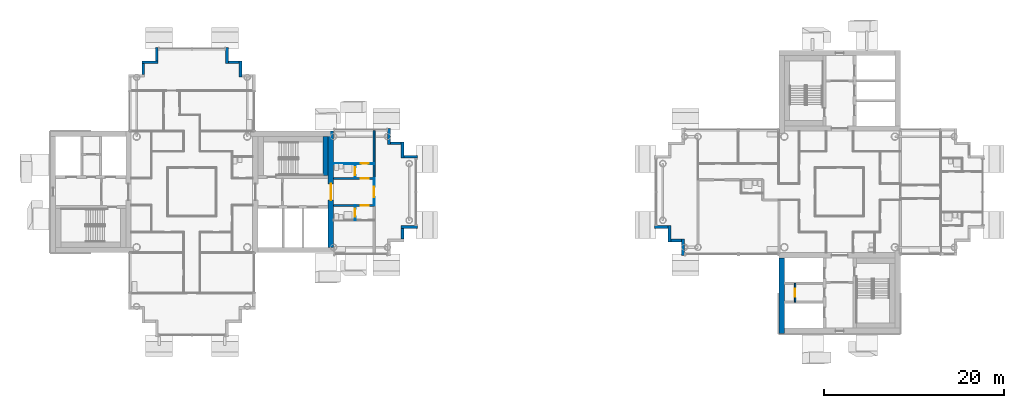
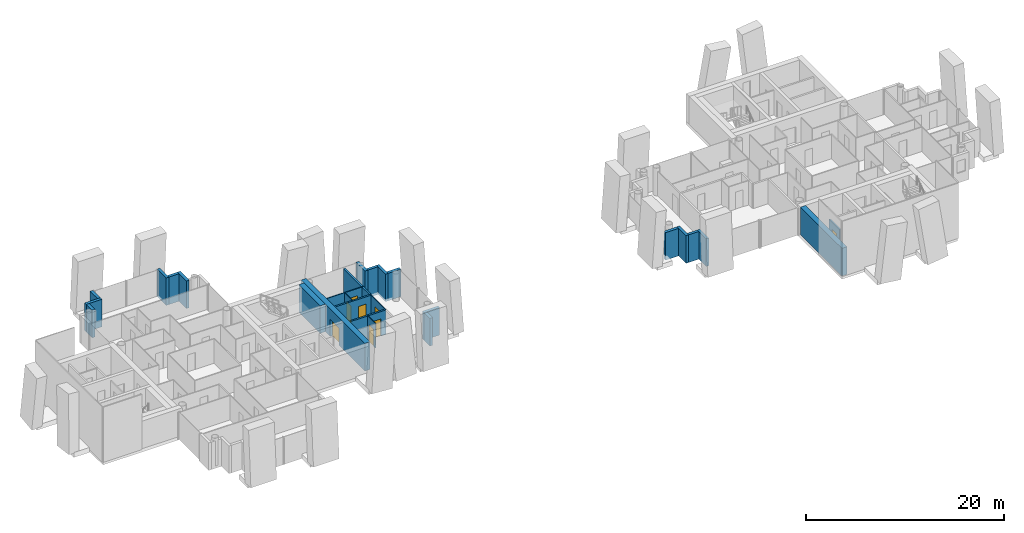
# One storey, part 8 of 19: 27 walls, 8 doors, 8 openings.
"""IFC4 building model written with IfcOpenShell, lengths in metres."""

from ifc_helpers import new_model, si_unit, direction, frame, frame_2d, origin, place, context, subcontext, project, spatial, rectangle, extrude, material, layer, layer_set, type_object, element, fill, save


model = new_model("IFC4")

# Units and contexts
model_context = context("Model", 3, precision=1e-05, world=origin(), true_north=direction((0.0, 1.0)))
body_context = subcontext(model_context, "Body", "Model", "MODEL_VIEW")
ifc_project = project(units=[si_unit("LENGTHUNIT", "METRE"), si_unit("AREAUNIT", "SQUARE_METRE"), si_unit("VOLUMEUNIT", "CUBIC_METRE"), si_unit("PLANEANGLEUNIT", "RADIAN"), si_unit("MASSUNIT", "GRAM", prefix="KILO")], contexts=[model_context])

# Site, building, storey
site_placement = place(None, origin())
site = spatial("IfcSite", under=ifc_project, at=site_placement, CompositionType="ELEMENT")
building_placement = place(site_placement, origin())
building = spatial("IfcBuilding", under=site, at=building_placement, Name="Ipe Terrace Towers", CompositionType="ELEMENT")
storey_placement = place(building_placement, frame((0.0, 0.0, 189.199951171875)))
storey = spatial("IfcBuildingStorey", under=building, at=storey_placement, Name="L52", CompositionType="ELEMENT", Elevation=189.199951171875)

# Walls
ifc_material_1 = material(Name="Concrete C40/50 with buff precast cladding", Category="concrete")
ifc_layer_1 = layer(ifc_material_1, 0.320068359375)
ifc_layer_set_1 = layer_set([ifc_layer_1], Name="BUFF CLADDING WALL 320")
wall_type_1 = type_object("IfcWallType", Name="BUFF CLADDING WALL 320", PredefinedType="STANDARD", material=ifc_layer_set_1)
wall_1_placement = place(storey_placement, frame((-12.590087890625, -5.25, -0.300048828125), z_axis=(0.0, 0.0, 1.0), x_axis=(0.0, 1.0, 0.0)))
element("IfcWall", 1, at=wall_1_placement, inside=storey, type_object=wall_type_1, Name="T1-W-L52-19a wall", PredefinedType="STANDARD", context=body_context, shape_type="SweptSolid", body=[
    extrude(rectangle(XDim=1.179931640625, YDim=0.320068359375, at=frame_2d((0.58984375, 0.0))), origin(), (0.0, 0.0, 1.0), 3.400146484375),
])
wall_2_placement = place(storey_placement, frame((-12.75, -3.909912109375, -0.300048828125), z_axis=(0.0, 0.0, 1.0), x_axis=(1.0, 0.0, 0.0)))
element("IfcWall", 2, at=wall_2_placement, inside=storey, type_object=wall_type_1, Name="T1-W-L52-20a wall", PredefinedType="STANDARD", context=body_context, shape_type="SweptSolid", body=[
    extrude(rectangle(XDim=1.820068359375, YDim=0.320068359375, at=frame_2d((0.91015625, 0.0))), origin(), (0.0, 0.0, 1.0), 3.400146484375),
])
wall_3_placement = place(storey_placement, frame((-10.929931640625, 3.909912109375, -0.300048828125), z_axis=(0.0, 0.0, 1.0), x_axis=(-1.0, 0.0, 0.0)))
element("IfcWall", 3, at=wall_3_placement, inside=storey, type_object=wall_type_1, Name="T1-W-L52-22a wall", PredefinedType="STANDARD", context=body_context, shape_type="SweptSolid", body=[
    extrude(rectangle(XDim=1.5, YDim=0.320068359375, at=frame_2d((0.75, 0.0))), origin(), (0.0, 0.0, 1.0), 3.400146484375),
])
wall_4_placement = place(storey_placement, frame((-12.590087890625, 3.75, -0.300048828125), z_axis=(0.0, 0.0, 1.0), x_axis=(0.0, 1.0, 0.0)))
element("IfcWall", 4, at=wall_4_placement, inside=storey, type_object=wall_type_1, Name="T1-W-L52-23a wall", PredefinedType="STANDARD", context=body_context, shape_type="SweptSolid", body=[
    extrude(rectangle(XDim=1.820068359375, YDim=0.320068359375, at=frame_2d((0.91015625, 0.0))), origin(), (0.0, 0.0, 1.0), 3.400146484375),
])
wall_5_placement = place(storey_placement, frame((-12.75, 5.409912109375, -0.300048828125), z_axis=(0.0, 0.0, 1.0), x_axis=(-1.0, 0.0, 0.0)))
element("IfcWall", 5, at=wall_5_placement, inside=storey, type_object=wall_type_1, Name="T1-W-L52-24a wall", PredefinedType="STANDARD", context=body_context, shape_type="SweptSolid", body=[
    extrude(rectangle(XDim=1.179931640625, YDim=0.320068359375, at=frame_2d((0.58984375, 0.0))), origin(), (0.0, 0.0, 1.0), 3.400146484375),
])
for number, where, z_axis, x_axis, name in (
    (6, (-14.090087890625, 5.25, -0.300048828125), (0.0, 0.0, 1.0), (0.0, 1.0, 0.0), "T1-W-L52-25a wall"),
    (7, (-30.590087890625, 12.75, -0.300048828125), (0.0, 0.0, 1.0), (0.0, 1.0, 0.0), "T1-W-L52-31a wall"),
):
    element("IfcWall", number, at=place(storey_placement, frame(where, z_axis=z_axis, x_axis=x_axis)), inside=storey, type_object=wall_type_1, Name=name, PredefinedType="STANDARD", context=body_context, shape_type="SweptSolid", body=[
        extrude(rectangle(XDim=1.820068359375, YDim=0.320068359375, at=frame_2d((0.91015625, 0.0))), origin(), (0.0, 0.0, 1.0), 3.400146484375),
    ])
wall_6_placement = place(storey_placement, frame((-30.75, 14.409912109375, -0.300048828125), z_axis=(0.0, 0.0, 1.0), x_axis=(-1.0, 0.0, 0.0)))
element("IfcWall", 8, at=wall_6_placement, inside=storey, type_object=wall_type_1, Name="T1-W-L52-32a wall", PredefinedType="STANDARD", context=body_context, shape_type="SweptSolid", body=[
    extrude(rectangle(XDim=1.179931640625, YDim=0.320068359375, at=frame_2d((0.58984375, 0.0))), origin(), (0.0, 0.0, 1.0), 3.400146484375),
])
wall_7_placement = place(storey_placement, frame((-32.090087890625, 14.25, -0.300048828125), z_axis=(0.0, 0.0, 1.0), x_axis=(0.0, 1.0, 0.0)))
element("IfcWall", 9, at=wall_7_placement, inside=storey, type_object=wall_type_1, Name="T1-W-L52-33a wall", PredefinedType="STANDARD", context=body_context, shape_type="SweptSolid", body=[
    extrude(rectangle(XDim=1.820068359375, YDim=0.320068359375, at=frame_2d((0.91015625, 0.0))), origin(), (0.0, 0.0, 1.0), 3.400146484375),
])
wall_8_placement = place(storey_placement, frame((-39.909912109375, 16.070068359375, -0.300048828125), z_axis=(0.0, 0.0, 1.0), x_axis=(0.0, -1.0, 0.0)))
element("IfcWall", 10, at=wall_8_placement, inside=storey, type_object=wall_type_1, Name="T1-W-L52-35a wall", PredefinedType="STANDARD", context=body_context, shape_type="SweptSolid", body=[
    extrude(rectangle(XDim=1.5, YDim=0.320068359375, at=frame_2d((0.75, 0.0))), origin(), (0.0, 0.0, 1.0), 3.400146484375),
])
wall_9_placement = place(storey_placement, frame((-39.75, 14.409912109375, -0.300048828125), z_axis=(0.0, 0.0, 1.0), x_axis=(-1.0, 0.0, 0.0)))
element("IfcWall", 11, at=wall_9_placement, inside=storey, type_object=wall_type_1, Name="T1-W-L52-36a wall", PredefinedType="STANDARD", context=body_context, shape_type="SweptSolid", body=[
    extrude(rectangle(XDim=1.820068359375, YDim=0.320068359375, at=frame_2d((0.91015625, 0.0))), origin(), (0.0, 0.0, 1.0), 3.400146484375),
])
wall_10_placement = place(storey_placement, frame((-41.409912109375, 14.25, -0.300048828125), z_axis=(0.0, 0.0, 1.0), x_axis=(0.0, -1.0, 0.0)))
element("IfcWall", 12, at=wall_10_placement, inside=storey, type_object=wall_type_1, Name="T1-W-L52-37a wall", PredefinedType="STANDARD", context=body_context, shape_type="SweptSolid", body=[
    extrude(rectangle(XDim=1.179931640625, YDim=0.320068359375, at=frame_2d((0.58984375, 0.0))), origin(), (0.0, 0.0, 1.0), 3.400146484375),
])
wall_11_placement = place(storey_placement, frame((15.429931640625, -3.909912109375, -0.300048828125), z_axis=(0.0, 0.0, 1.0), x_axis=(1.0, 0.0, 0.0)))
element("IfcWall", 13, at=wall_11_placement, inside=storey, type_object=wall_type_1, Name="T2-W-L52-27a wall", PredefinedType="STANDARD", context=body_context, shape_type="SweptSolid", body=[
    extrude(rectangle(XDim=1.5, YDim=0.320068359375, at=frame_2d((0.75, 0.0))), origin(), (0.0, 0.0, 1.0), 3.400146484375),
])
wall_12_placement = place(storey_placement, frame((17.090087890625, -3.75, -0.300048828125), z_axis=(0.0, 0.0, 1.0), x_axis=(0.0, -1.0, 0.0)))
element("IfcWall", 14, at=wall_12_placement, inside=storey, type_object=wall_type_1, Name="T2-W-L52-28a wall", PredefinedType="STANDARD", context=body_context, shape_type="SweptSolid", body=[
    extrude(rectangle(XDim=1.820068359375, YDim=0.320068359375, at=frame_2d((0.91015625, 0.0))), origin(), (0.0, 0.0, 1.0), 3.400146484375),
])
wall_13_placement = place(storey_placement, frame((17.25, -5.409912109375, -0.300048828125), z_axis=(0.0, 0.0, 1.0), x_axis=(1.0, 0.0, 0.0)))
element("IfcWall", 15, at=wall_13_placement, inside=storey, type_object=wall_type_1, Name="T2-W-L52-29a wall", PredefinedType="STANDARD", context=body_context, shape_type="SweptSolid", body=[
    extrude(rectangle(XDim=1.179931640625, YDim=0.320068359375, at=frame_2d((0.58984375, 0.0))), origin(), (0.0, 0.0, 1.0), 3.400146484375),
])
wall_14_placement = place(storey_placement, frame((18.590087890625, -5.25, -0.300048828125), z_axis=(0.0, 0.0, 1.0), x_axis=(0.0, -1.0, 0.0)))
element("IfcWall", 16, at=wall_14_placement, inside=storey, type_object=wall_type_1, Name="T2-W-L52-30a wall", PredefinedType="STANDARD", context=body_context, shape_type="SweptSolid", body=[
    extrude(rectangle(XDim=1.820068359375, YDim=0.320068359375, at=frame_2d((0.91015625, 0.0))), origin(), (0.0, 0.0, 1.0), 3.400146484375),
])

# Wall, opening, door
ifc_material_2 = material(Name="Gypsum board partition", Category="plasterboard")
ifc_layer_2 = layer(ifc_material_2, 0.10009765625)
ifc_layer_set_2 = layer_set([ifc_layer_2], Name="Gypsum board partition 100 mm")
wall_type_2 = type_object("IfcWallType", Name="Gypsum board partition 100 mm", PredefinedType="PARTITIONING", material=ifc_layer_set_2)
wall_15_placement = place(storey_placement, frame((-17.85009765625, -3.14990234375, 0.0), z_axis=(0.0, 0.0, 1.0), x_axis=(0.0, 1.0, 0.0)))
wall_15 = element("IfcWall", 17, at=wall_15_placement, inside=storey, type_object=wall_type_2, Name="Gypsum board partition T1 L52 W13", PredefinedType="PARTITIONING", context=body_context, shape_type="SweptSolid", body=[
    extrude(rectangle(XDim=1.64990234375, YDim=0.10009765625, at=frame_2d((0.824951171875, 0.0))), origin(), (0.0, 0.0, 1.0), 3.0),
])
opening_1_placement = place(wall_15_placement, frame((0.39990234375, 0.0, 0.0)))
opening_1 = element("IfcOpeningElement", 18, at=opening_1_placement, cuts=wall_15, Name="Opening T1-Z4C-21", PredefinedType="OPENING", context=body_context, shape_type="SweptSolid", body=[
    extrude(rectangle(XDim=0.89990234375, YDim=2.10009765625, at=frame_2d((0.449951171875, 1.050048828125))), frame((0.0, 0.06005859375, 0.0), z_axis=(0.0, -1.0, 0.0), x_axis=(1.0, 0.0, 0.0)), (0.0, 0.0, 1.0), 0.1201171875),
])
ifc_material_3 = material(Name="Timber door leaf", Category="wood")
door_type_1 = type_object("IfcDoorType", Name="Bathroom door 900 x 2100", OperationType="NOTDEFINED", PredefinedType="DOOR", material=ifc_material_3)
door_1_placement = place(opening_1_placement, origin())
door_1 = element("IfcDoor", 19, at=door_1_placement, inside=storey, type_object=door_type_1, Name="Bathroom door T1-Z4C-21", OperationType="SINGLE_SWING_LEFT", OverallHeight=2.10009765625, OverallWidth=0.89990234375, PredefinedType="DOOR", context=body_context, shape_type="SweptSolid", body=[
    extrude(rectangle(XDim=0.89990234375, YDim=2.10009765625, at=frame_2d((0.449951171875, 1.050048828125))), frame((0.0, 0.02490234375, 0.0), z_axis=(0.0, -1.0, 0.0), x_axis=(1.0, 0.0, 0.0)), (0.0, 0.0, 1.0), 0.050048828125),
])
fill(opening_1, door_1)

wall_16_placement = place(storey_placement, frame((-17.85009765625, 1.5, 0.0), z_axis=(0.0, 0.0, 1.0), x_axis=(0.0, 1.0, 0.0)))
wall_16 = element("IfcWall", 20, at=wall_16_placement, inside=storey, type_object=wall_type_2, Name="Gypsum board partition T1 L52 W14", PredefinedType="PARTITIONING", context=body_context, shape_type="SweptSolid", body=[
    extrude(rectangle(XDim=1.64990234375, YDim=0.10009765625, at=frame_2d((0.824951171875, 0.0))), origin(), (0.0, 0.0, 1.0), 3.0),
])
opening_2_placement = place(wall_16_placement, frame((0.35009765625, 0.0, 0.0)))
opening_2 = element("IfcOpeningElement", 21, at=opening_2_placement, cuts=wall_16, Name="Opening T1-Z4C-18", PredefinedType="OPENING", context=body_context, shape_type="SweptSolid", body=[
    extrude(rectangle(XDim=0.89990234375, YDim=2.10009765625, at=frame_2d((0.449951171875, 1.050048828125))), frame((0.0, 0.06005859375, 0.0), z_axis=(0.0, -1.0, 0.0), x_axis=(1.0, 0.0, 0.0)), (0.0, 0.0, 1.0), 0.1201171875),
])
door_2_placement = place(opening_2_placement, origin())
door_2 = element("IfcDoor", 22, at=door_2_placement, inside=storey, type_object=door_type_1, Name="Bathroom door T1-Z4C-18", OperationType="SINGLE_SWING_RIGHT", OverallHeight=2.10009765625, OverallWidth=0.89990234375, PredefinedType="DOOR", context=body_context, shape_type="SweptSolid", body=[
    extrude(rectangle(XDim=0.89990234375, YDim=2.10009765625, at=frame_2d((0.449951171875, 1.050048828125))), frame((0.0, 0.02490234375, 0.0), z_axis=(0.0, -1.0, 0.0), x_axis=(1.0, 0.0, 0.0)), (0.0, 0.0, 1.0), 0.050048828125),
])
fill(opening_2, door_2)

wall_17_placement = place(storey_placement, frame((-15.75, -1.5, 0.0), z_axis=(0.0, 0.0, 1.0), x_axis=(0.0, 1.0, 0.0)))
wall_17 = element("IfcWall", 23, at=wall_17_placement, inside=storey, type_object=wall_type_2, Name="Gypsum board partition T1 L52 W15", PredefinedType="PARTITIONING", context=body_context, shape_type="SweptSolid", body=[
    extrude(rectangle(XDim=3.0, YDim=0.10009765625, at=frame_2d((1.5, 0.0))), origin(), (0.0, 0.0, 1.0), 3.0),
])
opening_3_placement = place(wall_17_placement, frame((0.89990234375, 0.0, 0.0)))
opening_3 = element("IfcOpeningElement", 24, at=opening_3_placement, cuts=wall_17, Name="Opening T1-Z4C-22", PredefinedType="OPENING", context=body_context, shape_type="SweptSolid", body=[
    extrude(rectangle(XDim=1.199951171875, YDim=2.10009765625, at=frame_2d((0.60009765625, 1.050048828125))), frame((0.0, 0.06005859375, 0.0), z_axis=(0.0, -1.0, 0.0), x_axis=(1.0, 0.0, 0.0)), (0.0, 0.0, 1.0), 0.1201171875),
])
ifc_material_4 = material(Name="Timber door leaf", Category="wood")
door_type_2 = type_object("IfcDoorType", Name="Lounge door 1200 x 2100", OperationType="NOTDEFINED", PredefinedType="DOOR", material=ifc_material_4)
door_3_placement = place(opening_3_placement, origin())
door_3 = element("IfcDoor", 25, at=door_3_placement, inside=storey, type_object=door_type_2, Name="Lounge door T1-Z4C-22", OperationType="SINGLE_SWING_RIGHT", OverallHeight=2.10009765625, OverallWidth=1.199951171875, PredefinedType="DOOR", context=body_context, shape_type="SweptSolid", body=[
    extrude(rectangle(XDim=1.199951171875, YDim=2.10009765625, at=frame_2d((0.60009765625, 1.050048828125))), frame((0.0, 0.02490234375, 0.0), z_axis=(0.0, -1.0, 0.0), x_axis=(1.0, 0.0, 0.0)), (0.0, 0.0, 1.0), 0.050048828125),
])
fill(opening_3, door_3)

wall_18_placement = place(storey_placement, frame((-20.25, 3.14990234375, 0.0), z_axis=(0.0, 0.0, 1.0), x_axis=(1.0, 0.0, 0.0)))
wall_18 = element("IfcWall", 26, at=wall_18_placement, inside=storey, type_object=wall_type_2, Name="Gypsum board partition T1 L52 W32", PredefinedType="PARTITIONING", context=body_context, shape_type="SweptSolid", body=[
    extrude(rectangle(XDim=4.5, YDim=0.10009765625, at=frame_2d((2.25, 0.0))), origin(), (0.0, 0.0, 1.0), 3.0),
])
opening_4_placement = place(wall_18_placement, frame((3.0, 0.0, 0.0)))
opening_4 = element("IfcOpeningElement", 27, at=opening_4_placement, cuts=wall_18, Name="Opening T1-Z4C-17", PredefinedType="OPENING", context=body_context, shape_type="SweptSolid", body=[
    extrude(rectangle(XDim=0.89990234375, YDim=2.10009765625, at=frame_2d((0.449951171875, 1.050048828125))), frame((0.0, 0.06005859375, 0.0), z_axis=(0.0, -1.0, 0.0), x_axis=(1.0, 0.0, 0.0)), (0.0, 0.0, 1.0), 0.1201171875),
])
ifc_material_5 = material(Name="Timber door leaf", Category="wood")
door_type_3 = type_object("IfcDoorType", Name="Bedroom door 900 x 2100", OperationType="NOTDEFINED", PredefinedType="DOOR", material=ifc_material_5)
door_4_placement = place(opening_4_placement, origin())
door_4 = element("IfcDoor", 28, at=door_4_placement, inside=storey, type_object=door_type_3, Name="Bedroom door T1-Z4C-17", OperationType="SINGLE_SWING_LEFT", OverallHeight=2.10009765625, OverallWidth=0.89990234375, PredefinedType="DOOR", context=body_context, shape_type="SweptSolid", body=[
    extrude(rectangle(XDim=0.89990234375, YDim=2.10009765625, at=frame_2d((0.449951171875, 1.050048828125))), frame((0.0, 0.02490234375, 0.0), z_axis=(0.0, -1.0, 0.0), x_axis=(1.0, 0.0, 0.0)), (0.0, 0.0, 1.0), 0.050048828125),
])
fill(opening_4, door_4)

ifc_material_6 = material(Name="Gypsum board partition", Category="plasterboard")
ifc_layer_3 = layer(ifc_material_6, 0.14990234375)
ifc_layer_set_3 = layer_set([ifc_layer_3], Name="Gypsum board partition 150 mm")
wall_type_3 = type_object("IfcWallType", Name="Gypsum board partition 150 mm", PredefinedType="PARTITIONING", material=ifc_layer_set_3)
wall_19_placement = place(storey_placement, frame((31.050048828125, -10.14990234375, 0.0), z_axis=(0.0, 0.0, 1.0), x_axis=(0.0, -1.0, 0.0)))
wall_19 = element("IfcWall", 29, at=wall_19_placement, inside=storey, type_object=wall_type_3, Name="Gypsum board partition T2 L52 t2c2-q-back", PredefinedType="PARTITIONING", context=body_context, shape_type="SweptSolid", body=[
    extrude(rectangle(XDim=2.10009765625, YDim=0.14990234375, at=frame_2d((1.050048828125, 0.0))), origin(), (0.0, 0.0, 1.0), 3.0),
])
opening_5_placement = place(wall_19_placement, frame((0.60009765625, 0.0, 0.0)))
opening_5 = element("IfcOpeningElement", 30, at=opening_5_placement, cuts=wall_19, Name="Opening T2C2-RB", PredefinedType="OPENING", context=body_context, shape_type="SweptSolid", body=[
    extrude(rectangle(XDim=0.89990234375, YDim=2.10009765625, at=frame_2d((0.449951171875, 1.050048828125))), frame((0.0, 0.0849609375, 0.0), z_axis=(0.0, -1.0, 0.0), x_axis=(1.0, 0.0, 0.0)), (0.0, 0.0, 1.0), 0.169921875),
])
ifc_material_7 = material(Name="Fire-rated timber door leaf", Category="wood")
door_type_4 = type_object("IfcDoorType", Name="Service door 900 x 2100 FD60", OperationType="NOTDEFINED", PredefinedType="DOOR", material=ifc_material_7)
door_5_placement = place(opening_5_placement, origin())
door_5 = element("IfcDoor", 31, at=door_5_placement, inside=storey, type_object=door_type_4, Name="Service door T2C2-RB", OperationType="SINGLE_SWING_LEFT", OverallHeight=2.10009765625, OverallWidth=0.89990234375, PredefinedType="DOOR", context=body_context, shape_type="SweptSolid", body=[
    extrude(rectangle(XDim=0.89990234375, YDim=2.10009765625, at=frame_2d((0.449951171875, 1.050048828125))), frame((0.0, 0.02490234375, 0.0), z_axis=(0.0, -1.0, 0.0), x_axis=(1.0, 0.0, 0.0)), (0.0, 0.0, 1.0), 0.050048828125),
])
fill(opening_5, door_5)

# Wall
ifc_material_8 = material(Name="Gypsum board party wall", Category="plasterboard")
ifc_layer_4 = layer(ifc_material_8, 0.199951171875)
ifc_layer_set_4 = layer_set([ifc_layer_4], Name="Gypsum board party wall 200 mm")
wall_type_4 = type_object("IfcWallType", Name="Gypsum board party wall 200 mm", PredefinedType="SOLIDWALL", material=ifc_layer_set_4)
wall_20_placement = place(storey_placement, frame((-15.75, 1.5, 0.0), z_axis=(0.0, 0.0, 1.0), x_axis=(0.0, 1.0, 0.0)))
element("IfcWall", 32, at=wall_20_placement, inside=storey, type_object=wall_type_4, Name="Gypsum board party wall T1 L52 W17", PredefinedType="SOLIDWALL", context=body_context, shape_type="SweptSolid", body=[
    extrude(rectangle(XDim=5.35009765625, YDim=0.199951171875, at=frame_2d((2.675048828125, 0.0))), origin(), (0.0, 0.0, 1.0), 3.0),
])

# Wall, opening, door
wall_21_placement = place(storey_placement, frame((-20.25, -1.5, 0.0), z_axis=(0.0, 0.0, 1.0), x_axis=(1.0, 0.0, 0.0)))
wall_21 = element("IfcWall", 33, at=wall_21_placement, inside=storey, type_object=wall_type_4, Name="Gypsum board party wall T1 L52 W27", PredefinedType="SOLIDWALL", context=body_context, shape_type="SweptSolid", body=[
    extrude(rectangle(XDim=4.5, YDim=0.199951171875, at=frame_2d((2.25, 0.0))), origin(), (0.0, 0.0, 1.0), 3.0),
])
opening_6_placement = place(wall_21_placement, frame((3.0, 0.0, 0.0)))
opening_6 = element("IfcOpeningElement", 34, at=opening_6_placement, cuts=wall_21, Name="Opening T1-Z4C-19", PredefinedType="OPENING", context=body_context, shape_type="SweptSolid", body=[
    extrude(rectangle(XDim=0.89990234375, YDim=2.10009765625, at=frame_2d((0.449951171875, 1.050048828125))), frame((0.0, 0.10986328125, 0.0), z_axis=(0.0, -1.0, 0.0), x_axis=(1.0, 0.0, 0.0)), (0.0, 0.0, 1.0), 0.219970703125),
])
ifc_material_9 = material(Name="Fire-rated timber door leaf", Category="wood")
door_type_5 = type_object("IfcDoorType", Name="Flat entrance door 900 x 2100 FD30S", OperationType="NOTDEFINED", PredefinedType="DOOR", material=ifc_material_9)
door_6_placement = place(opening_6_placement, origin())
door_6 = element("IfcDoor", 35, at=door_6_placement, inside=storey, type_object=door_type_5, Name="Flat entrance door T1-Z4C-19", OperationType="SINGLE_SWING_RIGHT", OverallHeight=2.10009765625, OverallWidth=0.89990234375, PredefinedType="DOOR", context=body_context, shape_type="SweptSolid", body=[
    extrude(rectangle(XDim=0.89990234375, YDim=2.10009765625, at=frame_2d((0.449951171875, 1.050048828125))), frame((0.0, 0.02490234375, 0.0), z_axis=(0.0, -1.0, 0.0), x_axis=(1.0, 0.0, 0.0)), (0.0, 0.0, 1.0), 0.050048828125),
])
fill(opening_6, door_6)

wall_22_placement = place(storey_placement, frame((-20.25, 1.5, 0.0), z_axis=(0.0, 0.0, 1.0), x_axis=(1.0, 0.0, 0.0)))
wall_22 = element("IfcWall", 36, at=wall_22_placement, inside=storey, type_object=wall_type_4, Name="Gypsum board party wall T1 L52 W30", PredefinedType="SOLIDWALL", context=body_context, shape_type="SweptSolid", body=[
    extrude(rectangle(XDim=4.5, YDim=0.199951171875, at=frame_2d((2.25, 0.0))), origin(), (0.0, 0.0, 1.0), 3.0),
])
opening_7_placement = place(wall_22_placement, frame((3.0, 0.0, 0.0)))
opening_7 = element("IfcOpeningElement", 37, at=opening_7_placement, cuts=wall_22, Name="Opening T1-Z4C-16", PredefinedType="OPENING", context=body_context, shape_type="SweptSolid", body=[
    extrude(rectangle(XDim=0.89990234375, YDim=2.10009765625, at=frame_2d((0.449951171875, 1.050048828125))), frame((0.0, 0.10986328125, 0.0), z_axis=(0.0, -1.0, 0.0), x_axis=(1.0, 0.0, 0.0)), (0.0, 0.0, 1.0), 0.219970703125),
])
door_7_placement = place(opening_7_placement, origin())
door_7 = element("IfcDoor", 38, at=door_7_placement, inside=storey, type_object=door_type_5, Name="Flat entrance door T1-Z4C-16", OperationType="SINGLE_SWING_LEFT", OverallHeight=2.10009765625, OverallWidth=0.89990234375, PredefinedType="DOOR", context=body_context, shape_type="SweptSolid", body=[
    extrude(rectangle(XDim=0.89990234375, YDim=2.10009765625, at=frame_2d((0.449951171875, 1.050048828125))), frame((0.0, 0.02490234375, 0.0), z_axis=(0.0, -1.0, 0.0), x_axis=(1.0, 0.0, 0.0)), (0.0, 0.0, 1.0), 0.050048828125),
])
fill(opening_7, door_7)

# Wall
ifc_material_10 = material(Name="Concrete C40/50", Category="concrete")
ifc_layer_5 = layer(ifc_material_10, 0.60009765625)
ifc_layer_set_5 = layer_set([ifc_layer_5], Name="RW600 CORE INFILL WALL 600 C40-50")
wall_type_5 = type_object("IfcWallType", Name="RW600 CORE INFILL WALL 600 C40-50", PredefinedType="SHEAR", material=ifc_layer_set_5)
wall_23_placement = place(storey_placement, frame((-21.14990234375, 1.85009765625, 0.0), z_axis=(0.0, 0.0, 1.0), x_axis=(0.0, 1.0, 0.0)))
element("IfcWall", 39, at=wall_23_placement, inside=storey, type_object=wall_type_5, Name="Core infill wall T1-C1-far", PredefinedType="SHEAR", context=body_context, shape_type="SweptSolid", body=[
    extrude(rectangle(XDim=4.2998046875, YDim=0.60009765625, at=frame_2d((2.14990234375, 0.0))), origin(), (0.0, 0.0, 1.0), 3.400146484375),
])

# Wall, opening, door
ifc_material_11 = material(Name="Concrete C40/50", Category="concrete")
ifc_layer_6 = layer(ifc_material_11, 0.60009765625)
ifc_layer_set_6 = layer_set([ifc_layer_6], Name="RW600 CORE WALL 600 C40-50")
wall_type_6 = type_object("IfcWallType", Name="RW600 CORE WALL 600 C40-50", PredefinedType="SHEAR", material=ifc_layer_set_6)
wall_24_placement = place(storey_placement, frame((-20.550048828125, -6.14990234375, 0.0), z_axis=(0.0, 0.0, 1.0), x_axis=(0.0, 1.0, 0.0)))
wall_24 = element("IfcWall", 40, at=wall_24_placement, inside=storey, type_object=wall_type_6, Name="Core wall T1-C1-Z4-W02", PredefinedType="SHEAR", context=body_context, shape_type="SweptSolid", body=[
    extrude(rectangle(XDim=12.89990234375, YDim=0.60009765625, at=frame_2d((6.449951171875, 0.0))), origin(), (0.0, 0.0, 1.0), 3.400146484375),
])
opening_8_placement = place(wall_24_placement, frame((5.25, 0.0, 0.0)))
opening_8 = element("IfcOpeningElement", 41, at=opening_8_placement, cuts=wall_24, Name="Opening T1C1-FD", PredefinedType="OPENING", context=body_context, shape_type="SweptSolid", body=[
    extrude(rectangle(XDim=1.800048828125, YDim=2.10009765625, at=frame_2d((0.89990234375, 1.050048828125))), frame((0.0, 0.31005859375, 0.0), z_axis=(0.0, -1.0, 0.0), x_axis=(1.0, 0.0, 0.0)), (0.0, 0.0, 1.0), 0.6201171875),
])
ifc_material_12 = material(Name="Fire-rated timber door leaf", Category="wood")
door_type_6 = type_object("IfcDoorType", Name="Fire door 1800 x 2100 FD30S", OperationType="NOTDEFINED", PredefinedType="DOOR", material=ifc_material_12)
door_8_placement = place(opening_8_placement, origin())
door_8 = element("IfcDoor", 42, at=door_8_placement, inside=storey, type_object=door_type_6, Name="Fire door T1C1-FD", OperationType="SINGLE_SWING_LEFT", OverallHeight=2.10009765625, OverallWidth=1.800048828125, PredefinedType="DOOR", context=body_context, shape_type="SweptSolid", body=[
    extrude(rectangle(XDim=1.800048828125, YDim=2.10009765625, at=frame_2d((0.89990234375, 1.050048828125))), frame((0.0, 0.02490234375, 0.0), z_axis=(0.0, -1.0, 0.0), x_axis=(1.0, 0.0, 0.0)), (0.0, 0.0, 1.0), 0.050048828125),
])
fill(opening_8, door_8)

# Wall
wall_25_placement = place(storey_placement, frame((29.550048828125, -7.35009765625, 0.0), z_axis=(0.0, 0.0, 1.0), x_axis=(0.0, -1.0, 0.0)))
element("IfcWall", 43, at=wall_25_placement, inside=storey, type_object=wall_type_6, Name="Core wall T2-C2-Z4-W04", PredefinedType="SHEAR", context=body_context, shape_type="SweptSolid", body=[
    extrude(rectangle(XDim=8.39990234375, YDim=0.60009765625, at=frame_2d((4.199951171875, 0.0))), origin(), (0.0, 0.0, 1.0), 3.400146484375),
])

save(model, "model.ifc")
